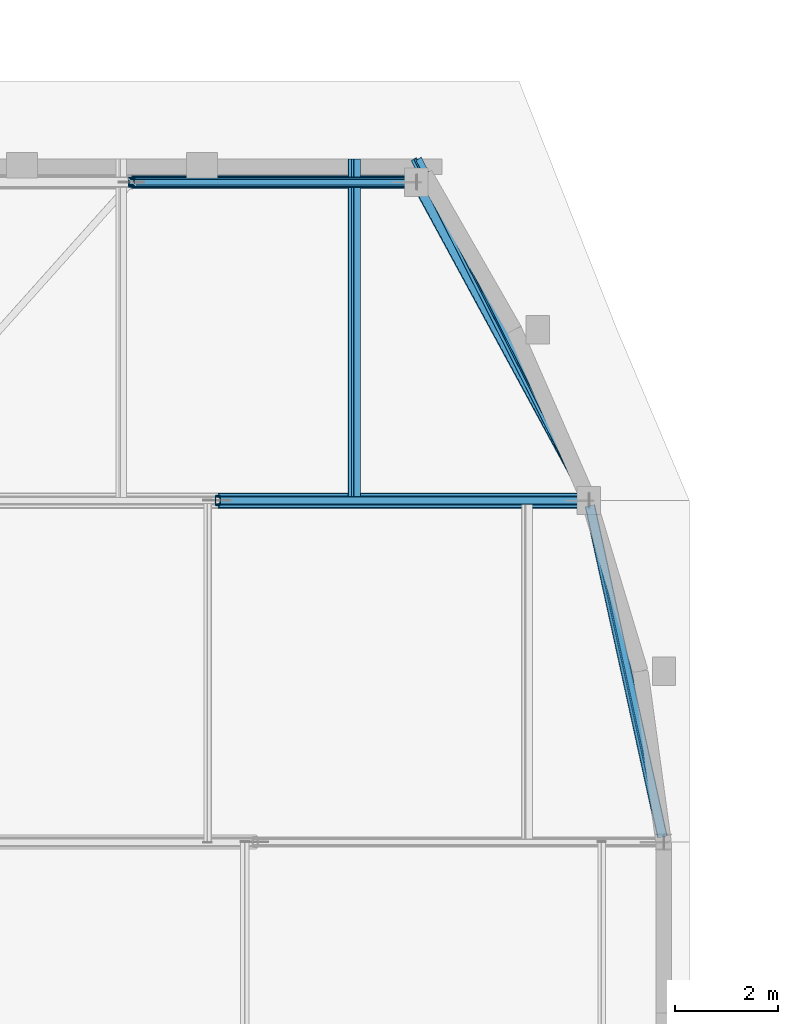
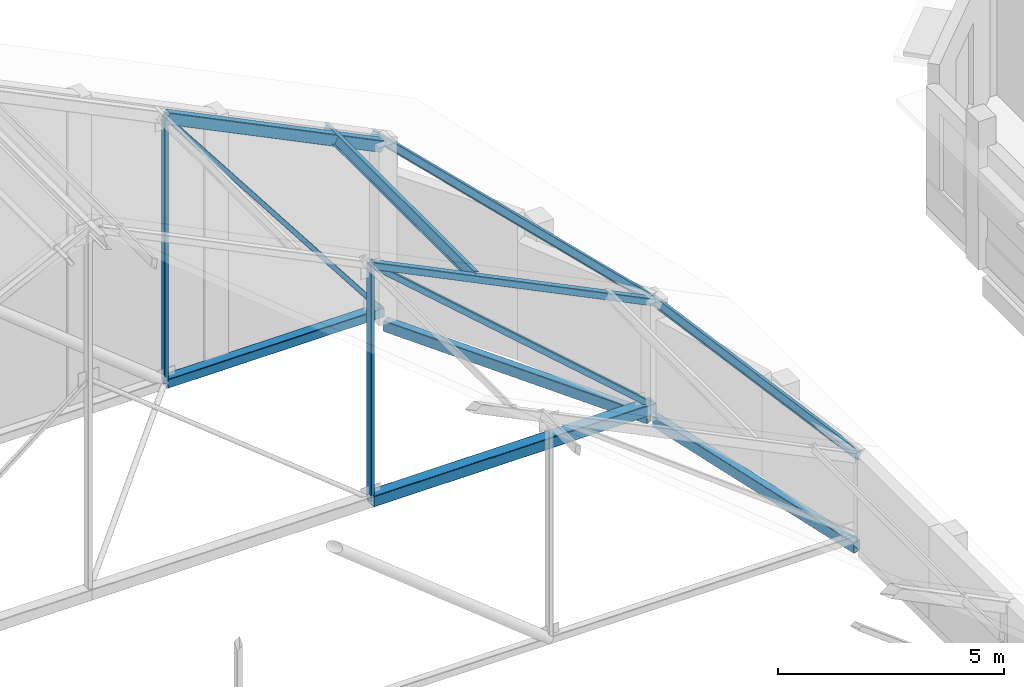
# One storey, part 23 of 78: 11 members, 2 beams.
"""IFC4 building model written with IfcOpenShell, lengths in metres."""

from ifc_helpers import new_model, si_unit, direction, frame, origin, origin_2d, place, context, subcontext, project, spatial, hollow_rectangle, i_section, extrude, material, material_profile, profile_set, type_object, element, save


model = new_model("IFC4")

# Units and contexts
model_context = context("Model", 3, precision=1e-05, world=origin(), true_north=direction((0.0, 1.0)))
body_context = subcontext(model_context, "Body", "Model", "MODEL_VIEW")
ifc_project = project(units=[si_unit("LENGTHUNIT", "METRE"), si_unit("AREAUNIT", "SQUARE_METRE"), si_unit("VOLUMEUNIT", "CUBIC_METRE"), si_unit("PLANEANGLEUNIT", "RADIAN"), si_unit("MASSUNIT", "GRAM", prefix="KILO")], contexts=[model_context])

# Site, building, storey
site_placement = place(None, origin())
site = spatial("IfcSite", under=ifc_project, at=site_placement, CompositionType="ELEMENT")
building_placement = place(site_placement, origin())
building = spatial("IfcBuilding", under=site, at=building_placement, Name="Kelanivale Promenade Academy", CompositionType="ELEMENT")
storey_placement = place(building_placement, frame((0.0, 0.0, 16.199951171875)))
storey = spatial("IfcBuildingStorey", under=building, at=storey_placement, Name="L04", CompositionType="ELEMENT", Elevation=16.199951171875)

# Members
ifc_material = material(Name="Steel S355", Category="steel")
ifc_material_profile_1 = material_profile(ifc_material, i_section(OverallWidth=0.13330078125, OverallDepth=0.203125, WebThickness=0.005615234375, FlangeThickness=0.0078125, FilletRadius=0.007568359375, at=origin_2d()), Name="UB 203x133x25")
ifc_profile_set_1 = profile_set([ifc_material_profile_1], Name="Steel S355")
member_type_1 = type_object("IfcMemberType", Name="PR-01 UB 203x133x25", PredefinedType="PURLIN", material=ifc_profile_set_1)
member_1_placement = place(storey_placement, frame((35.449951171875, 66.14306640625, 2.345947265625), z_axis=(-0.212555551587, 0.971621167618, 0.10379038552), x_axis=(-0.868071083791, -0.236527250347, 0.436471595101)))
element("IfcMember", 1, at=member_1_placement, inside=storey, type_object=member_type_1, Name="Sports Hall Crescent Pavilion roof tie purlin PR-01", PredefinedType="PURLIN", context=body_context, shape_type="SweptSolid", body=[
    extrude(i_section(OverallWidth=0.13330078125, OverallDepth=0.203125, WebThickness=0.005615234375, FlangeThickness=0.0078125, FilletRadius=0.007568359375, at=origin_2d()), origin(), (0.0, 0.0, 1.0), 6.821533203125),
])
member_2_placement = place(storey_placement, frame((34.0, 72.77099609375, 3.053955078125), z_axis=(-0.440489745694, 0.871606003141, 0.215108714903), x_axis=(-0.759389701539, -0.489547094897, 0.428568457862)))
element("IfcMember", 2, at=member_2_placement, inside=storey, type_object=member_type_1, Name="Sports Hall Crescent Pavilion roof tie purlin PR-01", PredefinedType="PURLIN", context=body_context, shape_type="SweptSolid", body=[
    extrude(i_section(OverallWidth=0.13330078125, OverallDepth=0.203125, WebThickness=0.005615234375, FlangeThickness=0.0078125, FilletRadius=0.007568359375, at=origin_2d()), origin(), (0.0, 0.0, 1.0), 7.60546875),
])
ifc_material_profile_2 = material_profile(ifc_material, i_section(OverallWidth=0.14599609375, OverallDepth=0.25146484375, WebThickness=0.006103515625, FlangeThickness=0.008544921875, FilletRadius=0.007568359375, at=origin_2d()), Name="UB 254x146x31")
ifc_profile_set_2 = profile_set([ifc_material_profile_2], Name="Steel S355")
member_type_2 = type_object("IfcMemberType", Name="PR-02 UB 254x146x31", PredefinedType="PURLIN", material=ifc_profile_set_2)
member_3_placement = place(storey_placement, frame((29.449951171875, 72.77099609375, 5.26708984375), z_axis=(0.0, 1.0, 0.0), x_axis=(-0.898564392509, 0.0, 0.438841694139)))
element("IfcMember", 3, at=member_3_placement, inside=storey, type_object=member_type_2, Name="Sports Hall Crescent Pavilion roof purlin PR-02", PredefinedType="PURLIN", context=body_context, shape_type="SweptSolid", body=[
    extrude(i_section(OverallWidth=0.14599609375, OverallDepth=0.25146484375, WebThickness=0.006103515625, FlangeThickness=0.008544921875, FilletRadius=0.007568359375, at=origin_2d()), origin(), (0.0, 0.0, 1.0), 6.62890625),
])

# Beams
ifc_material_profile_3 = material_profile(ifc_material, hollow_rectangle(XDim=0.199951171875, YDim=0.300048828125, WallThickness=0.012451171875, InnerFilletRadius=0.012451171875, OuterFilletRadius=0.02490234375, at=origin_2d()), Name="RHS 300x200x12.5")
ifc_profile_set_3 = profile_set([ifc_material_profile_3], Name="Steel S355")
beam_type = type_object("IfcBeamType", Name="SB-14 RHS 300x200x12.5", PredefinedType="SPANDREL", material=ifc_profile_set_3)
beam_1_placement = place(storey_placement, frame((35.428955078125, 66.240966796875, -0.14990234375), z_axis=(-0.213831783118, 0.976870497317, 0.0), x_axis=(-0.976870497317, -0.213831783118, 0.0)))
element("IfcBeam", 4, at=beam_1_placement, inside=storey, type_object=beam_type, Name="Sports Hall Crescent Pavilion inner kidney ring beam SB-14", PredefinedType="SPANDREL", context=body_context, shape_type="SweptSolid", body=[
    extrude(hollow_rectangle(XDim=0.199951171875, YDim=0.300048828125, WallThickness=0.012451171875, InnerFilletRadius=0.012451171875, OuterFilletRadius=0.02490234375, at=origin_2d()), origin(), (0.0, 0.0, 1.0), 6.58447265625),
])
beam_2_placement = place(storey_placement, frame((33.951904296875, 72.85888671875, -0.14990234375), z_axis=(-0.476530768852, 0.879157793765, 0.0), x_axis=(-0.879157793765, -0.476530768852, 0.0)))
element("IfcBeam", 5, at=beam_2_placement, inside=storey, type_object=beam_type, Name="Sports Hall Crescent Pavilion inner kidney ring beam SB-14", PredefinedType="SPANDREL", context=body_context, shape_type="SweptSolid", body=[
    extrude(hollow_rectangle(XDim=0.199951171875, YDim=0.300048828125, WallThickness=0.012451171875, InnerFilletRadius=0.012451171875, OuterFilletRadius=0.02490234375, at=origin_2d()), origin(), (0.0, 0.0, 1.0), 6.828369140625),
])

# Members
ifc_material_profile_4 = material_profile(ifc_material, hollow_rectangle(XDim=0.300048828125, YDim=0.300048828125, WallThickness=0.01611328125, InnerFilletRadius=0.01611328125, OuterFilletRadius=0.031982421875, at=origin_2d()), Name="SHS 300x300x16.0")
ifc_profile_set_4 = profile_set([ifc_material_profile_4], Name="Steel S355")
member_type_3 = type_object("IfcMemberType", Name="TC-01 SHS 300x300x16.0", PredefinedType="CHORD", material=ifc_profile_set_4)
member_4_placement = place(storey_placement, frame((26.800048828125, 72.77099609375, 0.199951171875), z_axis=(1.0, 0.0, 0.0), x_axis=(0.0, 1.0, 0.0)))
element("IfcMember", 6, at=member_4_placement, inside=storey, type_object=member_type_3, Name="ROOF TRUSS SH-TR7 bottom chord 4", PredefinedType="CHORD", context=body_context, shape_type="SweptSolid", body=[
    extrude(hollow_rectangle(XDim=0.300048828125, YDim=0.300048828125, WallThickness=0.01611328125, InnerFilletRadius=0.01611328125, OuterFilletRadius=0.031982421875, at=origin_2d()), origin(), (0.0, 0.0, 1.0), 7.199951171875),
])
ifc_material_profile_5 = material_profile(ifc_material, hollow_rectangle(XDim=0.25, YDim=0.25, WallThickness=0.012451171875, InnerFilletRadius=0.012451171875, OuterFilletRadius=0.02490234375, at=origin_2d()), Name="SHS 250x250x12.5")
ifc_profile_set_5 = profile_set([ifc_material_profile_5], Name="Steel S355")
member_type_4 = type_object("IfcMemberType", Name="TC-02 SHS 250x250x12.5", PredefinedType="CHORD", material=ifc_profile_set_5)
member_5_placement = place(storey_placement, frame((25.125, 78.949951171875, 0.199951171875), z_axis=(1.0, 0.0, 0.0), x_axis=(0.0, 1.0, 0.0)))
element("IfcMember", 7, at=member_5_placement, inside=storey, type_object=member_type_4, Name="ROOF TRUSS SH-TR8 bottom chord 4", PredefinedType="CHORD", context=body_context, shape_type="SweptSolid", body=[
    extrude(hollow_rectangle(XDim=0.25, YDim=0.25, WallThickness=0.012451171875, InnerFilletRadius=0.012451171875, OuterFilletRadius=0.02490234375, at=origin_2d()), origin(), (0.0, 0.0, 1.0), 5.52490234375),
])
ifc_material_profile_6 = material_profile(ifc_material, hollow_rectangle(XDim=0.179931640625, YDim=0.179931640625, WallThickness=0.010009765625, InnerFilletRadius=0.010009765625, OuterFilletRadius=0.02001953125, at=origin_2d()), Name="SHS 180x180x10.0")
ifc_profile_set_6 = profile_set([ifc_material_profile_6], Name="Steel S355")
member_type_5 = type_object("IfcMemberType", Name="TC-04 SHS 180x180x10.0", PredefinedType="CHORD", material=ifc_profile_set_6)
member_6_placement = place(storey_placement, frame((26.800048828125, 72.77099609375, 6.526123046875), z_axis=(0.898526440367, 0.0, -0.438919395745), x_axis=(0.0, 1.0, 0.0)))
element("IfcMember", 8, at=member_6_placement, inside=storey, type_object=member_type_5, Name="ROOF TRUSS SH-TR7 top chord 4", PredefinedType="CHORD", context=body_context, shape_type="SweptSolid", body=[
    extrude(hollow_rectangle(XDim=0.179931640625, YDim=0.179931640625, WallThickness=0.010009765625, InnerFilletRadius=0.010009765625, OuterFilletRadius=0.02001953125, at=origin_2d()), origin(), (0.0, 0.0, 1.0), 8.01318359375),
])
ifc_material_profile_7 = material_profile(ifc_material, hollow_rectangle(XDim=0.199951171875, YDim=0.300048828125, WallThickness=0.012451171875, InnerFilletRadius=0.012451171875, OuterFilletRadius=0.02490234375, at=origin_2d()), Name="RHS 300x200x12.5")
ifc_profile_set_7 = profile_set([ifc_material_profile_7], Name="Steel S355")
member_type_6 = type_object("IfcMemberType", Name="TC-05 RHS 300x200x12.5", PredefinedType="CHORD", material=ifc_profile_set_7)
member_7_placement = place(storey_placement, frame((25.125, 78.949951171875, 7.343994140625), z_axis=(0.898518356223, 0.0, -0.438935944677), x_axis=(0.0, 1.0, 0.0)))
element("IfcMember", 9, at=member_7_placement, inside=storey, type_object=member_type_6, Name="ROOF TRUSS SH-TR8 top chord 4", PredefinedType="CHORD", context=body_context, shape_type="SweptSolid", body=[
    extrude(hollow_rectangle(XDim=0.199951171875, YDim=0.300048828125, WallThickness=0.012451171875, InnerFilletRadius=0.012451171875, OuterFilletRadius=0.02490234375, at=origin_2d()), origin(), (0.0, 0.0, 1.0), 6.14892578125),
])
ifc_material_profile_8 = material_profile(ifc_material, hollow_rectangle(XDim=0.14990234375, YDim=0.14990234375, WallThickness=0.010009765625, InnerFilletRadius=0.010009765625, OuterFilletRadius=0.02001953125, at=origin_2d()), Name="SHS 150x150x10.0")
ifc_profile_set_8 = profile_set([ifc_material_profile_8], Name="Steel S355")
member_type_7 = type_object("IfcMemberType", Name="TD-01 SHS 150x150x10.0", PredefinedType="BRACE", material=ifc_profile_set_8)
member_8_placement = place(storey_placement, frame((34.0, 72.77099609375, 0.199951171875), z_axis=(-0.751219629486, 0.0, 0.660052322377), x_axis=(0.0, -1.0, 0.0)))
element("IfcMember", 10, at=member_8_placement, inside=storey, type_object=member_type_7, Name="ROOF TRUSS SH-TR7 web diagonal 4", PredefinedType="BRACE", context=body_context, shape_type="SweptSolid", body=[
    extrude(hollow_rectangle(XDim=0.14990234375, YDim=0.14990234375, WallThickness=0.010009765625, InnerFilletRadius=0.010009765625, OuterFilletRadius=0.02001953125, at=origin_2d()), origin(), (0.0, 0.0, 1.0), 9.584228515625),
])
ifc_material_profile_9 = material_profile(ifc_material, hollow_rectangle(XDim=0.1201171875, YDim=0.1201171875, WallThickness=0.008056640625, InnerFilletRadius=0.008056640625, OuterFilletRadius=0.01611328125, at=origin_2d()), Name="SHS 120x120x8.0")
ifc_profile_set_9 = profile_set([ifc_material_profile_9], Name="Steel S355")
member_type_8 = type_object("IfcMemberType", Name="TD-02 SHS 120x120x8.0", PredefinedType="BRACE", material=ifc_profile_set_9)
member_9_placement = place(storey_placement, frame((30.64990234375, 78.949951171875, 0.199951171875), z_axis=(-0.611759820771, 0.0, 0.791043564976), x_axis=(0.0, -1.0, 0.0)))
element("IfcMember", 11, at=member_9_placement, inside=storey, type_object=member_type_8, Name="ROOF TRUSS SH-TR8 web diagonal 4", PredefinedType="BRACE", context=body_context, shape_type="SweptSolid", body=[
    extrude(hollow_rectangle(XDim=0.1201171875, YDim=0.1201171875, WallThickness=0.008056640625, InnerFilletRadius=0.008056640625, OuterFilletRadius=0.01611328125, at=origin_2d()), origin(), (0.0, 0.0, 1.0), 9.03125),
])
ifc_material_profile_10 = material_profile(ifc_material, hollow_rectangle(XDim=0.10009765625, YDim=0.199951171875, WallThickness=0.008056640625, InnerFilletRadius=0.008056640625, OuterFilletRadius=0.01611328125, at=origin_2d()), Name="RHS 200x100x8.0")
ifc_profile_set_10 = profile_set([ifc_material_profile_10], Name="Steel S355")
member_type_9 = type_object("IfcMemberType", Name="TV-02 RHS 200x100x8.0", PredefinedType="STRUT", material=ifc_profile_set_10)
member_10_placement = place(storey_placement, frame((26.800048828125, 72.77099609375, 0.199951171875), z_axis=(0.0, 0.0, 1.0), x_axis=(1.0, 0.0, 0.0)))
element("IfcMember", 12, at=member_10_placement, inside=storey, type_object=member_type_9, Name="ROOF TRUSS SH-TR7 vertical strut 3", PredefinedType="STRUT", context=body_context, shape_type="SweptSolid", body=[
    extrude(hollow_rectangle(XDim=0.10009765625, YDim=0.199951171875, WallThickness=0.008056640625, InnerFilletRadius=0.008056640625, OuterFilletRadius=0.01611328125, at=origin_2d()), origin(), (0.0, 0.0, 1.0), 6.326171875),
])
ifc_material_profile_11 = material_profile(ifc_material, hollow_rectangle(XDim=0.10009765625, YDim=0.14990234375, WallThickness=0.008056640625, InnerFilletRadius=0.008056640625, OuterFilletRadius=0.01611328125, at=origin_2d()), Name="RHS 150x100x8.0")
ifc_profile_set_11 = profile_set([ifc_material_profile_11], Name="Steel S355")
member_type_10 = type_object("IfcMemberType", Name="TV-03 RHS 150x100x8.0", PredefinedType="STRUT", material=ifc_profile_set_11)
member_11_placement = place(storey_placement, frame((25.125, 78.949951171875, 0.199951171875), z_axis=(0.0, 0.0, 1.0), x_axis=(1.0, 0.0, 0.0)))
element("IfcMember", 13, at=member_11_placement, inside=storey, type_object=member_type_10, Name="ROOF TRUSS SH-TR8 vertical strut 3", PredefinedType="STRUT", context=body_context, shape_type="SweptSolid", body=[
    extrude(hollow_rectangle(XDim=0.10009765625, YDim=0.14990234375, WallThickness=0.008056640625, InnerFilletRadius=0.008056640625, OuterFilletRadius=0.01611328125, at=origin_2d()), origin(), (0.0, 0.0, 1.0), 7.14404296875),
])

save(model, "model.ifc")
